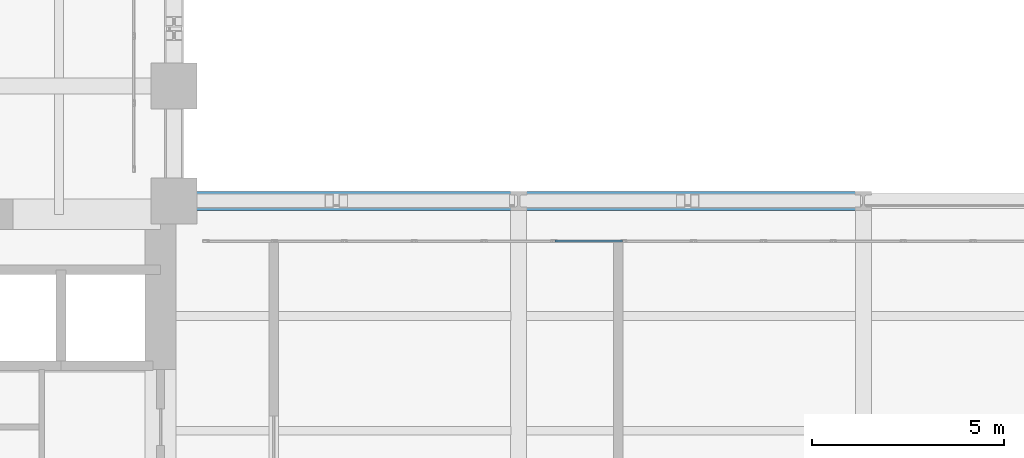
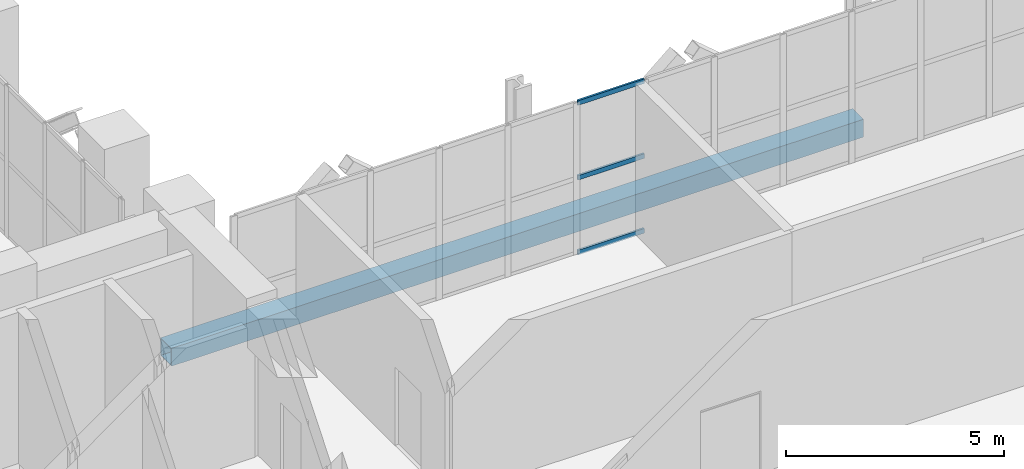
# One storey, part 7 of 27: 4 members, 1 element without a shape of its own.
"""IFC4 building model written with IfcOpenShell, lengths in metres."""

from ifc_helpers import new_model, si_unit, direction, frame, origin, origin_2d, place, context, subcontext, project, spatial, hollow_rectangle, extrude, material, layer, layer_set, material_profile, profile_set, type_object, element, aggregate, save


model = new_model("IFC4")

# Units and contexts
model_context = context("Model", 3, precision=1e-05, world=origin(), true_north=direction((0.0, 1.0)))
body_context = subcontext(model_context, "Body", "Model", "MODEL_VIEW")
ifc_project = project(units=[si_unit("LENGTHUNIT", "METRE"), si_unit("AREAUNIT", "SQUARE_METRE"), si_unit("VOLUMEUNIT", "CUBIC_METRE"), si_unit("PLANEANGLEUNIT", "RADIAN"), si_unit("MASSUNIT", "GRAM", prefix="KILO")], contexts=[model_context])

# Site, building, storey
site_placement = place(None, origin())
site = spatial("IfcSite", under=ifc_project, at=site_placement, CompositionType="ELEMENT")
building_placement = place(site_placement, origin())
building = spatial("IfcBuilding", under=site, at=building_placement, Name="Mawjdan Bourse Tower", CompositionType="ELEMENT")
storey_placement = place(building_placement, frame((0.0, 0.0, 84.60009765625)))
storey = spatial("IfcBuildingStorey", under=building, at=storey_placement, Name="L19", CompositionType="ELEMENT", Elevation=84.60009765625)

# Member
ifc_material_1 = material(Name="Structural Steel S460", Category="steel")
ifc_material_profile_1 = material_profile(ifc_material_1, hollow_rectangle(XDim=0.5, YDim=0.5, WallThickness=0.02001953125, at=origin_2d()), Name="HSS500X500X20")
ifc_profile_set_1 = profile_set([ifc_material_profile_1], Name="Structural Steel S460")
member_type_1 = type_object("IfcMemberType", Name="CHD-HSS500X500X20", PredefinedType="CHORD", material=ifc_profile_set_1)
member_1_placement = place(storey_placement, frame((23.64990234375, 21.0, 0.199951171875), z_axis=(1.0, 0.0, 0.0), x_axis=(0.0, 1.0, 0.0)))
element("IfcMember", 1, at=member_1_placement, inside=storey, type_object=member_type_1, Name="L19 East Outrigger Truss 2 Bottom Chord", PredefinedType="CHORD", context=body_context, shape_type="SweptSolid", body=[
    extrude(hollow_rectangle(XDim=0.5, YDim=0.5, WallThickness=0.02001953125, at=origin_2d()), origin(), (0.0, 0.0, 1.0), 18.35009765625),
])

# Curtain wall, members
ifc_material_2 = material(Name="Thermally Broken Aluminium and Solar Glass", Category="aluminium")
ifc_layer = layer(ifc_material_2, 0.219970703125)
ifc_layer_set = layer_set([ifc_layer], Name="Thermally Broken Aluminium and Solar Glass")
curtain_wall_type = type_object("IfcCurtainWallType", Name="CW-RFG", PredefinedType="USERDEFINED", material=ifc_layer_set)
curtain_wall_placement = place(storey_placement, origin())
curtain_wall = element("IfcCurtainWall", 2, at=curtain_wall_placement, inside=storey, type_object=curtain_wall_type, Name="L19 Refuge Band North Louvre Curtain Wall", ObjectType="REFUGE BAND LOUVRE SCREEN", PredefinedType="USERDEFINED")
ifc_material_3 = material(Name="Thermally Broken Anodised Aluminium", Category="aluminium")
ifc_material_profile_2 = material_profile(ifc_material_3, hollow_rectangle(XDim=0.054931640625, YDim=0.1298828125, WallThickness=0.00341796875, at=origin_2d()), Name="ALU-TRN-130X55")
ifc_profile_set_2 = profile_set([ifc_material_profile_2], Name="Thermally Broken Anodised Aluminium")
member_type_2 = type_object("IfcMemberType", Name="TRN-ALU-TRN-130X55", PredefinedType="USERDEFINED", material=ifc_profile_set_2)
member_2_placement = place(storey_placement, frame((35.71044921875, 19.949951171875, 0.02734375), z_axis=(-1.0, 0.0, 0.0), x_axis=(0.0, -1.0, 0.0)))
member_2 = element("IfcMember", 3, at=member_2_placement, type_object=member_type_2, Name="CW-RFG-L19-RFG-N transom 16.1", ObjectType="TRANSOM", PredefinedType="USERDEFINED", context=body_context, shape_type="SweptSolid", body=[
    extrude(hollow_rectangle(XDim=0.054931640625, YDim=0.1298828125, WallThickness=0.00341796875, at=origin_2d()), origin(), (0.0, 0.0, 1.0), 1.7587890625),
])
member_3_placement = place(storey_placement, frame((35.71044921875, 19.949951171875, 2.125), z_axis=(-1.0, 0.0, 0.0), x_axis=(0.0, -1.0, 0.0)))
member_3 = element("IfcMember", 4, at=member_3_placement, type_object=member_type_2, Name="CW-RFG-L19-RFG-N transom 16.2", ObjectType="TRANSOM", PredefinedType="USERDEFINED", context=body_context, shape_type="SweptSolid", body=[
    extrude(hollow_rectangle(XDim=0.054931640625, YDim=0.1298828125, WallThickness=0.00341796875, at=origin_2d()), origin(), (0.0, 0.0, 1.0), 1.7587890625),
])
member_4_placement = place(storey_placement, frame((35.71044921875, 19.949951171875, 4.222412109375), z_axis=(-1.0, 0.0, 0.0), x_axis=(0.0, -1.0, 0.0)))
member_4 = element("IfcMember", 5, at=member_4_placement, type_object=member_type_2, Name="CW-RFG-L19-RFG-N transom 16.3", ObjectType="TRANSOM", PredefinedType="USERDEFINED", context=body_context, shape_type="SweptSolid", body=[
    extrude(hollow_rectangle(XDim=0.054931640625, YDim=0.1298828125, WallThickness=0.00341796875, at=origin_2d()), origin(), (0.0, 0.0, 1.0), 1.7587890625),
])
aggregate(curtain_wall, [member_2, member_3, member_4])

save(model, "model.ifc")
